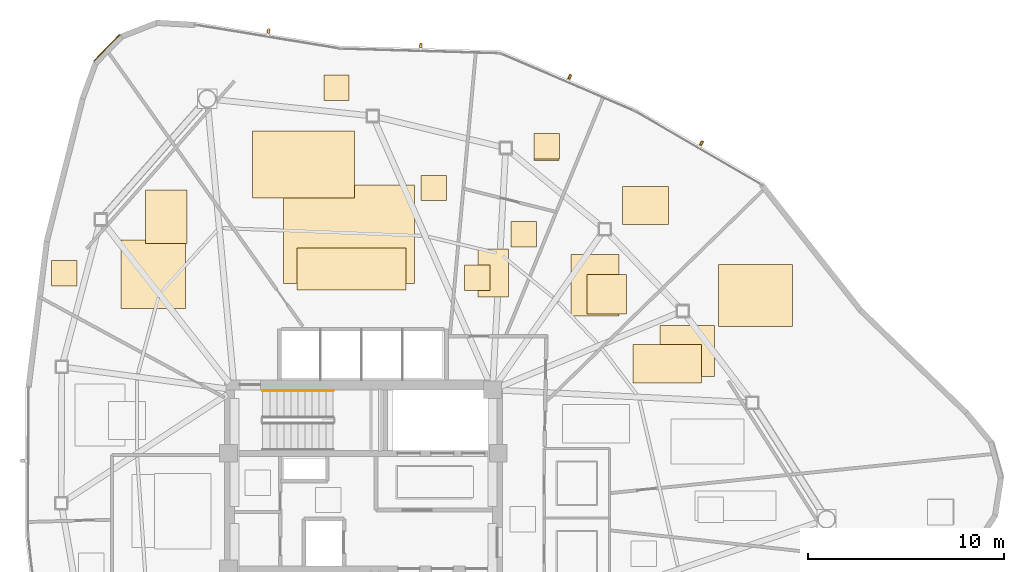
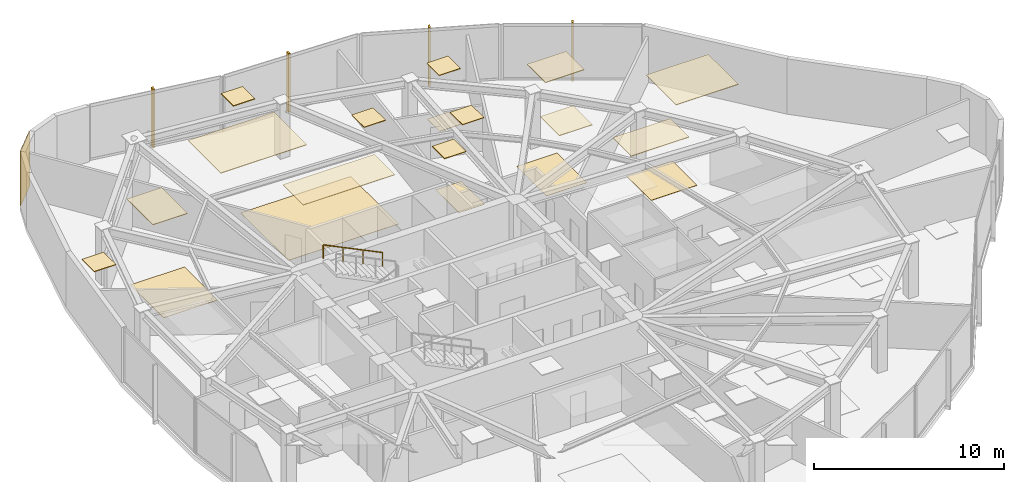
# One storey, part 18 of 18: 20 coverings, 4 shading devices, 1 railing.
"""IFC4 building model written with IfcOpenShell, lengths in metres."""

from ifc_helpers import new_model, si_unit, direction, frame, origin, origin_2d, place, context, subcontext, project, spatial, polyline, rectangle, outline, extrude, source, transform, mapped, material, layer, layer_set, type_object, type_shapes, element, save


model = new_model("IFC4")

# Units and contexts
model_context = context("Model", 3, precision=1e-05, world=origin(), true_north=direction((0.0, 1.0)))
body_context = subcontext(model_context, "Body", "Model", "MODEL_VIEW")
ifc_project = project(units=[si_unit("LENGTHUNIT", "METRE"), si_unit("AREAUNIT", "SQUARE_METRE"), si_unit("VOLUMEUNIT", "CUBIC_METRE"), si_unit("PLANEANGLEUNIT", "RADIAN"), si_unit("MASSUNIT", "GRAM", prefix="KILO")], contexts=[model_context])

# Site, building, storey
site_placement = place(None, origin())
site = spatial("IfcSite", under=ifc_project, at=site_placement, CompositionType="ELEMENT")
building_placement = place(site_placement, origin())
building = spatial("IfcBuilding", under=site, at=building_placement, Name="Tavelor Broadcast Tower", CompositionType="ELEMENT")
storey_placement = place(building_placement, frame((0.0, 0.0, 173.35009765625)))
storey = spatial("IfcBuildingStorey", under=building, at=storey_placement, Name="L41", CompositionType="ELEMENT", Elevation=173.35009765625)

# Covering
ifc_material_1 = material(Name="Copper-Bronze Anodized Aluminium", Category="aluminium")
ifc_layer_1 = layer(ifc_material_1, 0.050048828125)
ifc_layer_set_1 = layer_set([ifc_layer_1], Name="Copper-Bronze Anodized Aluminium")
covering_type_1 = type_object("IfcCoveringType", Name="Champagne-Bronze Corner Pier Metal Cladding 50 mm", PredefinedType="CLADDING", material=ifc_layer_set_1)
covering_1_placement = place(storey_placement, frame((36.880615234375, 68.689697265625, 0.02001953125), z_axis=(0.0, 0.0, 1.0), x_axis=(-0.701531425771, -0.712638518925, 0.0)))
element("IfcCovering", 1, at=covering_1_placement, inside=storey, type_object=covering_type_1, Name="L41 Champagne-Bronze Corner Cladding 03", PredefinedType="CLADDING", context=body_context, shape_type="SweptSolid", body=[
    extrude(rectangle(XDim=1.880615234375, YDim=0.050048828125, at=origin_2d()), origin(), (0.0, 0.0, 1.0), 3.510009765625),
])

# Railing
ifc_material_2 = material(Name="Steel S355", Category="steel")
railing_type = type_object("IfcRailingType", Name="Continuous Brushed Stainless Handrail 900 mm", PredefinedType="HANDRAIL", material=ifc_material_2)
railing_placement = place(storey_placement, frame((48.449951171875, 51.14990234375, 2.099853515625)))
element("IfcRailing", 2, at=railing_placement, inside=storey, type_object=railing_type, Name="L41 ST1 stair handrail 2", PredefinedType="HANDRAIL", context=body_context, shape_type="SweptSolid", body=[
    extrude(rectangle(XDim=0.048095703125, YDim=0.048095703125, at=origin_2d()), frame((0.0, 0.0, 0.8759765625), z_axis=(-0.899360859046, 0.0, 0.437207096483), x_axis=(0.0, -1.0, 0.0)), (0.0, 0.0, 1.0), 4.002685546875),
    extrude(rectangle(XDim=0.0419921875, YDim=0.0419921875, at=origin_2d()), origin(), (0.0, 0.0, 1.0), 0.851806640625),
    extrude(rectangle(XDim=0.0419921875, YDim=0.0419921875, at=origin_2d()), frame((-1.199951171875, 0.0, 0.583251953125)), (0.0, 0.0, 1.0), 0.851806640625),
    extrude(rectangle(XDim=0.0419921875, YDim=0.0419921875, at=origin_2d()), frame((-2.39990234375, 0.0, 1.166748046875)), (0.0, 0.0, 1.0), 0.851806640625),
    extrude(rectangle(XDim=0.0419921875, YDim=0.0419921875, at=origin_2d()), frame((-3.599853515625, 0.0, 1.75)), (0.0, 0.0, 1.0), 0.851806640625),
])

# Coverings
ifc_material_3 = material(Name="Acoustic Nylon Carpet Tile")
ifc_layer_2 = layer(ifc_material_3, 0.02001953125)
ifc_layer_set_2 = layer_set([ifc_layer_2], Name="Acoustic Nylon Carpet Tile")
covering_type_2 = type_object("IfcCoveringType", Name="Heavy-Duty Acoustic Broadcast Carpet Tile 20 mm", PredefinedType="FLOORING", material=ifc_layer_set_2)
covering_2_placement = place(storey_placement, origin())
element("IfcCovering", 3, at=covering_2_placement, inside=storey, type_object=covering_type_2, Name="L41 Broadcast Floor Finish 0602", PredefinedType="FLOORING", context=body_context, shape_type="SweptSolid", body=[
    extrude(outline(polyline([(37.599609375, 55.37158203125), (40.89306640625, 55.37158203125), (40.89306640625, 58.869384765625), (37.599609375, 58.869384765625), (37.599609375, 55.37158203125)])), origin(), (0.0, 0.0, 1.0), 0.02001953125),
])
covering_3_placement = place(storey_placement, origin())
element("IfcCovering", 4, at=covering_3_placement, inside=storey, type_object=covering_type_2, Name="L41 Broadcast Floor Finish 0603", PredefinedType="FLOORING", context=body_context, shape_type="SweptSolid", body=[
    extrude(outline(polyline([(45.91796875, 56.648193359375), (52.59912109375, 56.648193359375), (52.59912109375, 61.678466796875), (45.91796875, 61.678466796875), (45.91796875, 56.648193359375)])), origin(), (0.0, 0.0, 1.0), 0.02001953125),
])
covering_4_placement = place(storey_placement, origin())
element("IfcCovering", 5, at=covering_4_placement, inside=storey, type_object=covering_type_2, Name="L41 Broadcast Floor Finish 0604", PredefinedType="FLOORING", context=body_context, shape_type="SweptSolid", body=[
    extrude(outline(polyline([(58.70751953125, 62.921142578125), (60.007568359375, 62.921142578125), (60.007568359375, 64.22119140625), (58.70751953125, 64.22119140625), (58.70751953125, 62.921142578125)])), origin(), (0.0, 0.0, 1.0), 0.02001953125),
])
covering_5_placement = place(storey_placement, origin())
element("IfcCovering", 6, at=covering_5_placement, inside=storey, type_object=covering_type_2, Name="L41 Broadcast Floor Finish 0605", PredefinedType="FLOORING", context=body_context, shape_type="SweptSolid", body=[
    extrude(outline(polyline([(60.606201171875, 54.987548828125), (63.064453125, 54.987548828125), (63.064453125, 58.12353515625), (60.606201171875, 58.12353515625), (60.606201171875, 54.987548828125)])), origin(), (0.0, 0.0, 1.0), 0.02001953125),
])
covering_6_placement = place(storey_placement, origin())
element("IfcCovering", 7, at=covering_6_placement, inside=storey, type_object=covering_type_2, Name="L41 Broadcast Floor Finish 0606", PredefinedType="FLOORING", context=body_context, shape_type="SweptSolid", body=[
    extrude(outline(polyline([(65.159423828125, 51.88720703125), (67.94091796875, 51.88720703125), (67.94091796875, 54.486328125), (65.159423828125, 54.486328125), (65.159423828125, 51.88720703125)])), origin(), (0.0, 0.0, 1.0), 0.02001953125),
])
covering_7_placement = place(storey_placement, origin())
element("IfcCovering", 8, at=covering_7_placement, inside=storey, type_object=covering_type_2, Name="L41 Broadcast Floor Finish 0611", PredefinedType="FLOORING", context=body_context, shape_type="SweptSolid", body=[
    extrude(outline(polyline([(55.850830078125, 55.959228515625), (57.421142578125, 55.959228515625), (57.421142578125, 58.395751953125), (55.850830078125, 58.395751953125), (55.850830078125, 55.959228515625)])), origin(), (0.0, 0.0, 1.0), 0.02001953125),
])
ifc_material_4 = material(Name="Acoustic Mineral Fibre Tile")
ifc_layer_3 = layer(ifc_material_4, 0.0400390625)
ifc_layer_set_3 = layer_set([ifc_layer_3], Name="Acoustic Mineral Fibre Tile")
covering_type_3 = type_object("IfcCoveringType", Name="Suspended Acoustic Mineral-Fibre Office Ceiling 40 mm", PredefinedType="CEILING", material=ifc_layer_set_3)
covering_8_placement = place(storey_placement, frame((0.0, 0.0, 3.510009765625)))
element("IfcCovering", 9, at=covering_8_placement, inside=storey, type_object=covering_type_3, Name="L41 Suspended Acoustic Ceiling 1708", PredefinedType="CEILING", context=body_context, shape_type="SweptSolid", body=[
    extrude(outline(polyline([(34.062744140625, 56.5048828125), (35.36279296875, 56.5048828125), (35.36279296875, 57.8046875), (34.062744140625, 57.8046875), (34.062744140625, 56.5048828125)])), origin(), (0.0, 0.0, 1.0), 0.039794921875),
])
covering_9_placement = place(storey_placement, frame((0.0, 0.0, 3.510009765625)))
element("IfcCovering", 10, at=covering_9_placement, inside=storey, type_object=covering_type_3, Name="L41 Suspended Acoustic Ceiling 1709", PredefinedType="CEILING", context=body_context, shape_type="SweptSolid", body=[
    extrude(outline(polyline([(38.86083984375, 58.68115234375), (40.9658203125, 58.68115234375), (40.9658203125, 61.410400390625), (38.86083984375, 61.410400390625), (38.86083984375, 58.68115234375)])), origin(), (0.0, 0.0, 1.0), 0.039794921875),
])
covering_10_placement = place(storey_placement, frame((0.0, 0.0, 3.510009765625)))
element("IfcCovering", 11, at=covering_10_placement, inside=storey, type_object=covering_type_3, Name="L41 Suspended Acoustic Ceiling 1710", PredefinedType="CEILING", context=body_context, shape_type="SweptSolid", body=[
    extrude(outline(polyline([(47.97119140625, 66.0), (49.271240234375, 66.0), (49.271240234375, 67.300048828125), (47.97119140625, 67.300048828125), (47.97119140625, 66.0)])), origin(), (0.0, 0.0, 1.0), 0.039794921875),
])
covering_11_placement = place(storey_placement, frame((0.0, 0.0, 3.510009765625)))
element("IfcCovering", 12, at=covering_11_placement, inside=storey, type_object=covering_type_3, Name="L41 Suspended Acoustic Ceiling 1711", PredefinedType="CEILING", context=body_context, shape_type="SweptSolid", body=[
    extrude(outline(polyline([(52.942626953125, 60.87060546875), (54.24267578125, 60.87060546875), (54.24267578125, 62.170654296875), (52.942626953125, 62.170654296875), (52.942626953125, 60.87060546875)])), origin(), (0.0, 0.0, 1.0), 0.039794921875),
])
covering_12_placement = place(storey_placement, frame((0.0, 0.0, 3.510009765625)))
element("IfcCovering", 13, at=covering_12_placement, inside=storey, type_object=covering_type_3, Name="L41 Suspended Acoustic Ceiling 1712", PredefinedType="CEILING", context=body_context, shape_type="SweptSolid", body=[
    extrude(outline(polyline([(46.611328125, 56.301025390625), (52.16796875, 56.301025390625), (52.16796875, 58.44970703125), (46.611328125, 58.44970703125), (46.611328125, 56.301025390625)])), origin(), (0.0, 0.0, 1.0), 0.039794921875),
])
covering_13_placement = place(storey_placement, frame((0.0, 0.0, 3.510009765625)))
element("IfcCovering", 14, at=covering_13_placement, inside=storey, type_object=covering_type_3, Name="L41 Suspended Acoustic Ceiling 1713", PredefinedType="CEILING", context=body_context, shape_type="SweptSolid", body=[
    extrude(outline(polyline([(44.328857421875, 60.99951171875), (49.534912109375, 60.99951171875), (49.534912109375, 64.4462890625), (44.328857421875, 64.4462890625), (44.328857421875, 60.99951171875)])), origin(), (0.0, 0.0, 1.0), 0.039794921875),
])
covering_14_placement = place(storey_placement, frame((0.0, 0.0, 3.510009765625)))
element("IfcCovering", 15, at=covering_14_placement, inside=storey, type_object=covering_type_3, Name="L41 Suspended Acoustic Ceiling 1714", PredefinedType="CEILING", context=body_context, shape_type="SweptSolid", body=[
    extrude(outline(polyline([(58.7294921875, 63.011962890625), (60.029296875, 63.011962890625), (60.029296875, 64.31201171875), (58.7294921875, 64.31201171875), (58.7294921875, 63.011962890625)])), origin(), (0.0, 0.0, 1.0), 0.039794921875),
])
covering_15_placement = place(storey_placement, frame((0.0, 0.0, 3.510009765625)))
element("IfcCovering", 16, at=covering_15_placement, inside=storey, type_object=covering_type_3, Name="L41 Suspended Acoustic Ceiling 1715", PredefinedType="CEILING", context=body_context, shape_type="SweptSolid", body=[
    extrude(outline(polyline([(63.2421875, 59.655517578125), (65.604248046875, 59.655517578125), (65.604248046875, 61.58837890625), (63.2421875, 61.58837890625), (63.2421875, 59.655517578125)])), origin(), (0.0, 0.0, 1.0), 0.039794921875),
])
covering_16_placement = place(storey_placement, frame((0.0, 0.0, 3.510009765625)))
element("IfcCovering", 17, at=covering_16_placement, inside=storey, type_object=covering_type_3, Name="L41 Suspended Acoustic Ceiling 1716", PredefinedType="CEILING", context=body_context, shape_type="SweptSolid", body=[
    extrude(outline(polyline([(61.44189453125, 55.076904296875), (63.4501953125, 55.076904296875), (63.4501953125, 57.08984375), (61.44189453125, 57.08984375), (61.44189453125, 55.076904296875)])), origin(), (0.0, 0.0, 1.0), 0.039794921875),
])
covering_17_placement = place(storey_placement, frame((0.0, 0.0, 3.510009765625)))
element("IfcCovering", 18, at=covering_17_placement, inside=storey, type_object=covering_type_3, Name="L41 Suspended Acoustic Ceiling 1718", PredefinedType="CEILING", context=body_context, shape_type="SweptSolid", body=[
    extrude(outline(polyline([(63.7802734375, 51.56298828125), (67.27490234375, 51.56298828125), (67.27490234375, 53.514404296875), (63.7802734375, 53.514404296875), (63.7802734375, 51.56298828125)])), origin(), (0.0, 0.0, 1.0), 0.039794921875),
])
covering_18_placement = place(storey_placement, frame((0.0, 0.0, 3.510009765625)))
element("IfcCovering", 19, at=covering_18_placement, inside=storey, type_object=covering_type_3, Name="L41 Suspended Acoustic Ceiling 1719", PredefinedType="CEILING", context=body_context, shape_type="SweptSolid", body=[
    extrude(outline(polyline([(68.16455078125, 54.45166015625), (71.93359375, 54.45166015625), (71.93359375, 57.609130859375), (68.16455078125, 57.609130859375), (68.16455078125, 54.45166015625)])), origin(), (0.0, 0.0, 1.0), 0.039794921875),
])
covering_19_placement = place(storey_placement, frame((0.0, 0.0, 3.510009765625)))
element("IfcCovering", 20, at=covering_19_placement, inside=storey, type_object=covering_type_3, Name="L41 Suspended Acoustic Ceiling 1731", PredefinedType="CEILING", context=body_context, shape_type="SweptSolid", body=[
    extrude(outline(polyline([(55.165283203125, 56.272705078125), (56.46533203125, 56.272705078125), (56.46533203125, 57.572509765625), (55.165283203125, 57.572509765625), (55.165283203125, 56.272705078125)])), origin(), (0.0, 0.0, 1.0), 0.039794921875),
])
covering_20_placement = place(storey_placement, frame((0.0, 0.0, 3.510009765625)))
element("IfcCovering", 21, at=covering_20_placement, inside=storey, type_object=covering_type_3, Name="L41 Suspended Acoustic Ceiling 1732", PredefinedType="CEILING", context=body_context, shape_type="SweptSolid", body=[
    extrude(outline(polyline([(57.53857421875, 58.495849609375), (58.838623046875, 58.495849609375), (58.838623046875, 59.7958984375), (57.53857421875, 59.7958984375), (57.53857421875, 58.495849609375)])), origin(), (0.0, 0.0, 1.0), 0.039794921875),
])

# Shading devices
ifc_material_5 = material(Name="Kiln-Fired Glazed Terracotta", Category="masonry")
shading_device_type = type_object("IfcShadingDeviceType", Name="Extruded Terracotta Baguette Sun-Screen 110x240", PredefinedType="JALOUSIE", material=ifc_material_5)
shared_shape = source(origin(), body_context, "Body", "SweptSolid", [
    extrude(rectangle(XDim=0.110107421875, YDim=0.239990234375, at=origin_2d()), origin(), (0.0, 0.0, 1.0), 3.7900390625),
])
type_shapes(shading_device_type, [shared_shape])
for number, where, z_axis, x_axis, name in (
    (22, (67.284912109375, 63.814453125, -0.260009765625), (0.0, 0.0, 1.0), (-0.864538064097, 0.50256734447, 0.0), "L41 Terracotta Baguette Fin 429"),
    (23, (60.54541015625, 67.2041015625, -0.260009765625), (0.0, 0.0, 1.0), (-0.918997771593, 0.394262724343, 0.0), "L41 Terracotta Baguette Fin 430"),
    (24, (52.93310546875, 68.821533203125, -0.260009765625), (0.0, 0.0, 1.0), (-0.999580327476, 0.028968412487, 0.0), "L41 Terracotta Baguette Fin 431"),
    (25, (45.14501953125, 69.54833984375, -0.260009765625), (0.0, 0.0, 1.0), (-0.98679924591, 0.161948288881, 0.0), "L41 Terracotta Baguette Fin 432"),
):
    element("IfcShadingDevice", number, at=place(storey_placement, frame(where, z_axis=z_axis, x_axis=x_axis)), inside=storey, type_object=shading_device_type, Name=name, PredefinedType="JALOUSIE", context=body_context, shape_type="MappedRepresentation", body=[
        mapped(shared_shape, transform((0.0, 0.0, 0.0), scale=1.0)),
    ])

save(model, "model.ifc")
